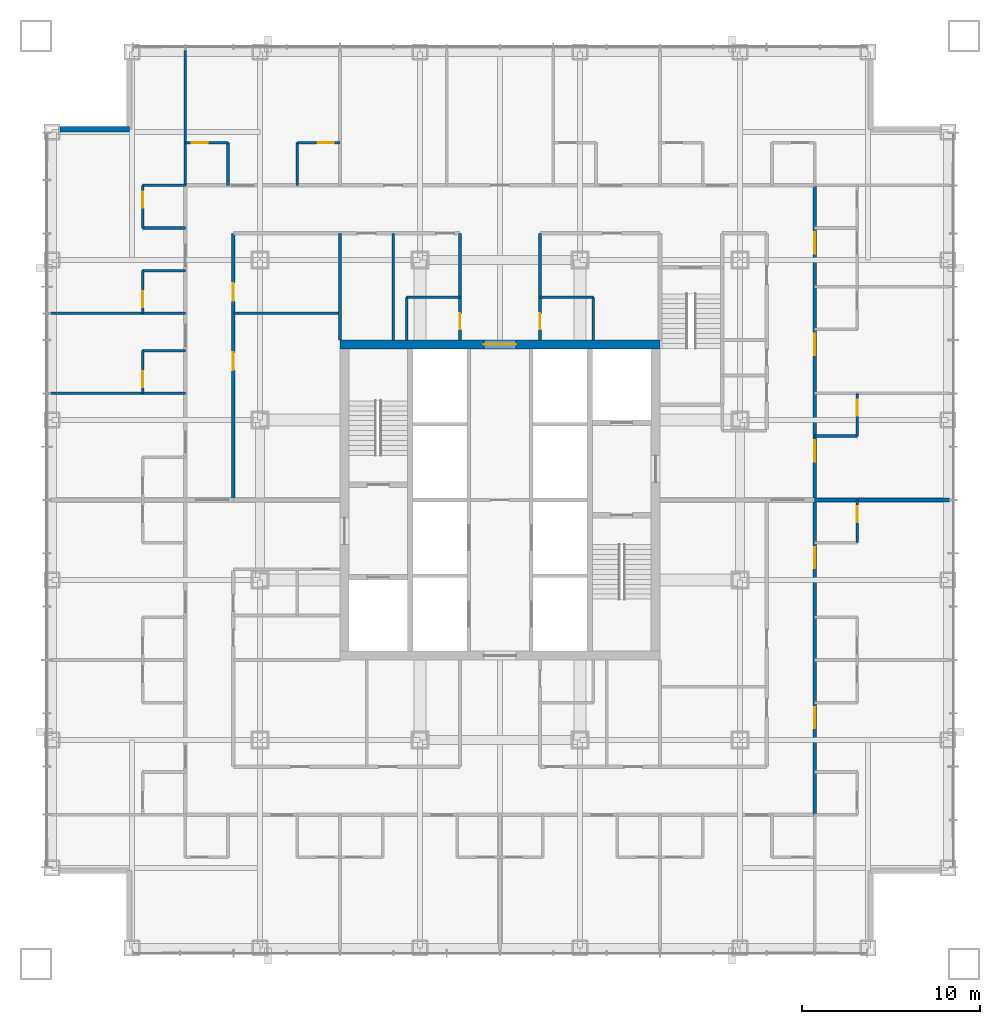
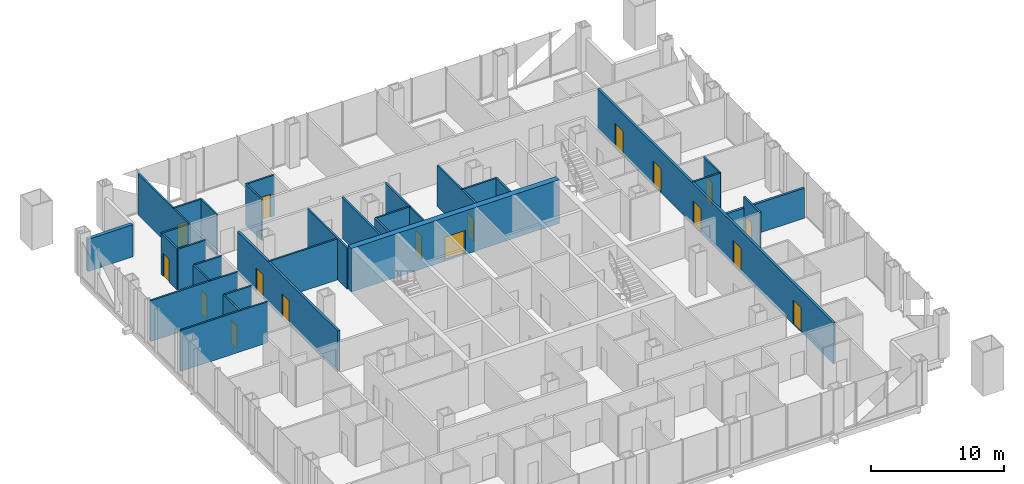
# One storey, part 10 of 13: 31 walls, 17 doors, 17 openings.
"""IFC4 building model written with IfcOpenShell, lengths in metres."""

from ifc_helpers import new_model, si_unit, direction, frame, frame_2d, origin, place, context, subcontext, project, spatial, rectangle, extrude, material, layer, layer_set, type_object, element, fill, save


model = new_model("IFC4")

# Units and contexts
model_context = context("Model", 3, precision=1e-05, world=origin(), true_north=direction((0.0, 1.0)))
body_context = subcontext(model_context, "Body", "Model", "MODEL_VIEW")
ifc_project = project(units=[si_unit("LENGTHUNIT", "METRE"), si_unit("AREAUNIT", "SQUARE_METRE"), si_unit("VOLUMEUNIT", "CUBIC_METRE"), si_unit("PLANEANGLEUNIT", "RADIAN"), si_unit("MASSUNIT", "GRAM", prefix="KILO")], contexts=[model_context])

# Site, building, storey
site_placement = place(None, origin())
site = spatial("IfcSite", under=ifc_project, at=site_placement, CompositionType="ELEMENT")
building_placement = place(site_placement, origin())
building = spatial("IfcBuilding", under=site, at=building_placement, Name="Malebo Sky Hospital", CompositionType="ELEMENT")
storey_placement = place(building_placement, frame((0.0, 0.0, 87.0)))
storey = spatial("IfcBuildingStorey", under=building, at=storey_placement, Name="L20", CompositionType="ELEMENT", Elevation=87.0)

# Wall, opening, door
ifc_material_1 = material(Name="Concrete C80/95", Category="concrete")
ifc_layer_1 = layer(ifc_material_1, 0.5)
ifc_layer_set_1 = layer_set([ifc_layer_1], Name="CORE WALL 500")
wall_type_1 = type_object("IfcWallType", Name="CORE WALL 500", PredefinedType="SHEAR", material=ifc_layer_set_1)
wall_1_placement = place(storey_placement, frame((51.0, 70.75, 0.0), z_axis=(0.0, 0.0, 1.0), x_axis=(1.0, 0.0, 0.0)))
wall_1 = element("IfcWall", 1, at=wall_1_placement, inside=storey, type_object=wall_type_1, Name="Core wall N L20", PredefinedType="SHEAR", context=body_context, shape_type="SweptSolid", body=[
    extrude(rectangle(XDim=18.0, YDim=0.5, at=frame_2d((9.0, 0.0))), origin(), (0.0, 0.0, 1.0), 4.0),
])
opening_1_placement = place(wall_1_placement, frame((8.10009765625, 0.0, 0.0)))
opening_1 = element("IfcOpeningElement", 2, at=opening_1_placement, cuts=wall_1, Name="Opening D06", PredefinedType="OPENING", context=body_context, shape_type="SweptSolid", body=[
    extrude(rectangle(XDim=1.800048828125, YDim=2.199951171875, at=frame_2d((0.89990234375, 1.10009765625))), frame((0.0, 0.260009765625, 0.0), z_axis=(0.0, -1.0, 0.0), x_axis=(1.0, 0.0, 0.0)), (0.0, 0.0, 1.0), 0.52001953125),
])
ifc_material_2 = material(Name="Hardwood-faced door leaf in steel frame", Category="steel")
door_type_1 = type_object("IfcDoorType", Name="LOBBY DOOR PAIR 1800", OperationType="DOUBLE_DOOR_SINGLE_SWING", PredefinedType="DOOR", material=ifc_material_2)
door_1_placement = place(opening_1_placement, origin())
door_1 = element("IfcDoor", 3, at=door_1_placement, inside=storey, type_object=door_type_1, Name="linen store door north", OperationType="DOUBLE_DOOR_SINGLE_SWING", OverallHeight=2.199951171875, OverallWidth=1.800048828125, PredefinedType="DOOR", context=body_context, shape_type="SweptSolid", body=[
    extrude(rectangle(XDim=1.800048828125, YDim=2.199951171875, at=frame_2d((0.89990234375, 1.10009765625))), frame((0.0, 0.02490234375, 0.0), z_axis=(0.0, -1.0, 0.0), x_axis=(1.0, 0.0, 0.0)), (0.0, 0.0, 1.0), 0.050048828125),
])
fill(opening_1, door_1)

# Wall, openings, doors
ifc_material_3 = material(Name="Gypsum board on steel studs", Category="steel")
ifc_layer_2 = layer(ifc_material_3, 0.199951171875)
ifc_layer_set_2 = layer_set([ifc_layer_2], Name="CORRIDOR WALL 200")
wall_type_2 = type_object("IfcWallType", Name="CORRIDOR WALL 200", PredefinedType="PARTITIONING", material=ifc_layer_set_2)
wall_2_placement = place(storey_placement, frame((45.0, 62.0, 0.0), z_axis=(0.0, 0.0, 1.0), x_axis=(0.0, 1.0, 0.0)))
wall_2 = element("IfcWall", 4, at=wall_2_placement, inside=storey, type_object=wall_type_2, Name="Corridor Wall 200 WCI2", PredefinedType="PARTITIONING", context=body_context, shape_type="SweptSolid", body=[
    extrude(rectangle(XDim=15.0, YDim=0.199951171875, at=frame_2d((7.5, 0.0))), origin(), (0.0, 0.0, 1.0), 3.75),
])
opening_2_placement = place(wall_2_placement, frame((7.300048828125, 0.0, 0.0)))
opening_2 = element("IfcOpeningElement", 5, at=opening_2_placement, cuts=wall_2, Name="Opening D03", PredefinedType="OPENING", context=body_context, shape_type="SweptSolid", body=[
    extrude(rectangle(XDim=1.0, YDim=2.10009765625, at=frame_2d((0.5, 1.050048828125))), frame((0.0, 0.10986328125, 0.0), z_axis=(0.0, -1.0, 0.0), x_axis=(1.0, 0.0, 0.0)), (0.0, 0.0, 1.0), 0.219970703125),
])
opening_3_placement = place(wall_2_placement, frame((11.199951171875, 0.0, 0.0)))
opening_3 = element("IfcOpeningElement", 6, at=opening_3_placement, cuts=wall_2, Name="Opening D03", PredefinedType="OPENING", context=body_context, shape_type="SweptSolid", body=[
    extrude(rectangle(XDim=1.0, YDim=2.10009765625, at=frame_2d((0.5, 1.050048828125))), frame((0.0, 0.10986328125, 0.0), z_axis=(0.0, -1.0, 0.0), x_axis=(1.0, 0.0, 0.0)), (0.0, 0.0, 1.0), 0.219970703125),
])
door_type_2 = type_object("IfcDoorType", Name="ROOM DOOR 1000", OperationType="SINGLE_SWING_LEFT", PredefinedType="DOOR", material=ifc_material_2)
door_2_placement = place(opening_2_placement, origin())
door_2 = element("IfcDoor", 7, at=door_2_placement, inside=storey, type_object=door_type_2, Name="Nurse station door", OperationType="SINGLE_SWING_RIGHT", OverallHeight=2.10009765625, OverallWidth=1.0, PredefinedType="DOOR", context=body_context, shape_type="SweptSolid", body=[
    extrude(rectangle(XDim=1.0, YDim=2.10009765625, at=frame_2d((0.5, 1.050048828125))), frame((0.0, 0.02490234375, 0.0), z_axis=(0.0, -1.0, 0.0), x_axis=(1.0, 0.0, 0.0)), (0.0, 0.0, 1.0), 0.050048828125),
])
fill(opening_2, door_2)
door_3_placement = place(opening_3_placement, origin())
door_3 = element("IfcDoor", 8, at=door_3_placement, inside=storey, type_object=door_type_2, Name="Interview room door", OperationType="SINGLE_SWING_LEFT", OverallHeight=2.10009765625, OverallWidth=1.0, PredefinedType="DOOR", context=body_context, shape_type="SweptSolid", body=[
    extrude(rectangle(XDim=1.0, YDim=2.10009765625, at=frame_2d((0.5, 1.050048828125))), frame((0.0, 0.02490234375, 0.0), z_axis=(0.0, -1.0, 0.0), x_axis=(1.0, 0.0, 0.0)), (0.0, 0.0, 1.0), 0.050048828125),
])
fill(opening_3, door_3)

wall_3_placement = place(storey_placement, frame((77.699951171875, 79.699951171875, 0.0), z_axis=(0.0, 0.0, 1.0), x_axis=(0.0, -1.0, 0.0)))
wall_3 = element("IfcWall", 9, at=wall_3_placement, inside=storey, type_object=wall_type_2, Name="Corridor Wall 200 ECO", PredefinedType="PARTITIONING", context=body_context, shape_type="SweptSolid", body=[
    extrude(rectangle(XDim=35.39990234375, YDim=0.199951171875, at=frame_2d((17.699951171875, 0.0))), origin(), (0.0, 0.0, 1.0), 3.75),
])
opening_4_placement = place(wall_3_placement, frame((2.64990234375, 0.0, 0.0)))
opening_4 = element("IfcOpeningElement", 10, at=opening_4_placement, cuts=wall_3, Name="Opening D18", PredefinedType="OPENING", context=body_context, shape_type="SweptSolid", body=[
    extrude(rectangle(XDim=1.199951171875, YDim=2.199951171875, at=frame_2d((0.60009765625, 1.10009765625))), frame((0.0, 0.10986328125, 0.0), z_axis=(0.0, -1.0, 0.0), x_axis=(1.0, 0.0, 0.0)), (0.0, 0.0, 1.0), 0.219970703125),
])
opening_5_placement = place(wall_3_placement, frame((8.35009765625, 0.0, 0.0)))
opening_5 = element("IfcOpeningElement", 11, at=opening_5_placement, cuts=wall_3, Name="Opening D01", PredefinedType="OPENING", context=body_context, shape_type="SweptSolid", body=[
    extrude(rectangle(XDim=1.199951171875, YDim=2.199951171875, at=frame_2d((0.60009765625, 1.10009765625))), frame((0.0, 0.10986328125, 0.0), z_axis=(0.0, -1.0, 0.0), x_axis=(1.0, 0.0, 0.0)), (0.0, 0.0, 1.0), 0.219970703125),
])
opening_6_placement = place(wall_3_placement, frame((14.35009765625, 0.0, 0.0)))
opening_6 = element("IfcOpeningElement", 12, at=opening_6_placement, cuts=wall_3, Name="Opening D01", PredefinedType="OPENING", context=body_context, shape_type="SweptSolid", body=[
    extrude(rectangle(XDim=1.199951171875, YDim=2.199951171875, at=frame_2d((0.60009765625, 1.10009765625))), frame((0.0, 0.10986328125, 0.0), z_axis=(0.0, -1.0, 0.0), x_axis=(1.0, 0.0, 0.0)), (0.0, 0.0, 1.0), 0.219970703125),
])
opening_7_placement = place(wall_3_placement, frame((20.35009765625, 0.0, 0.0)))
opening_7 = element("IfcOpeningElement", 13, at=opening_7_placement, cuts=wall_3, Name="Opening D01", PredefinedType="OPENING", context=body_context, shape_type="SweptSolid", body=[
    extrude(rectangle(XDim=1.199951171875, YDim=2.199951171875, at=frame_2d((0.60009765625, 1.10009765625))), frame((0.0, 0.10986328125, 0.0), z_axis=(0.0, -1.0, 0.0), x_axis=(1.0, 0.0, 0.0)), (0.0, 0.0, 1.0), 0.219970703125),
])
opening_8_placement = place(wall_3_placement, frame((29.35009765625, 0.0, 0.0)))
opening_8 = element("IfcOpeningElement", 14, at=opening_8_placement, cuts=wall_3, Name="Opening D01", PredefinedType="OPENING", context=body_context, shape_type="SweptSolid", body=[
    extrude(rectangle(XDim=1.199951171875, YDim=2.199951171875, at=frame_2d((0.60009765625, 1.10009765625))), frame((0.0, 0.10986328125, 0.0), z_axis=(0.0, -1.0, 0.0), x_axis=(1.0, 0.0, 0.0)), (0.0, 0.0, 1.0), 0.219970703125),
])
door_type_3 = type_object("IfcDoorType", Name="ANTEROOM DOOR 1200", OperationType="SINGLE_SWING_LEFT", PredefinedType="DOOR", material=ifc_material_2)
door_4_placement = place(opening_4_placement, origin())
door_4 = element("IfcDoor", 15, at=door_4_placement, inside=storey, type_object=door_type_3, Name="Anteroom door", OperationType="SINGLE_SWING_LEFT", OverallHeight=2.199951171875, OverallWidth=1.199951171875, PredefinedType="DOOR", context=body_context, shape_type="SweptSolid", body=[
    extrude(rectangle(XDim=1.199951171875, YDim=2.199951171875, at=frame_2d((0.60009765625, 1.10009765625))), frame((0.0, 0.02490234375, 0.0), z_axis=(0.0, -1.0, 0.0), x_axis=(1.0, 0.0, 0.0)), (0.0, 0.0, 1.0), 0.050048828125),
])
fill(opening_4, door_4)
door_type_4 = type_object("IfcDoorType", Name="BED DOOR 1200", OperationType="SINGLE_SWING_LEFT", PredefinedType="DOOR", material=ifc_material_2)
door_5_placement = place(opening_5_placement, origin())
door_5 = element("IfcDoor", 16, at=door_5_placement, inside=storey, type_object=door_type_4, Name="Single bed room door", OperationType="SINGLE_SWING_LEFT", OverallHeight=2.199951171875, OverallWidth=1.199951171875, PredefinedType="DOOR", context=body_context, shape_type="SweptSolid", body=[
    extrude(rectangle(XDim=1.199951171875, YDim=2.199951171875, at=frame_2d((0.60009765625, 1.10009765625))), frame((0.0, 0.02490234375, 0.0), z_axis=(0.0, -1.0, 0.0), x_axis=(1.0, 0.0, 0.0)), (0.0, 0.0, 1.0), 0.050048828125),
])
fill(opening_5, door_5)
door_6_placement = place(opening_6_placement, origin())
door_6 = element("IfcDoor", 17, at=door_6_placement, inside=storey, type_object=door_type_4, Name="Single bed room door", OperationType="SINGLE_SWING_LEFT", OverallHeight=2.199951171875, OverallWidth=1.199951171875, PredefinedType="DOOR", context=body_context, shape_type="SweptSolid", body=[
    extrude(rectangle(XDim=1.199951171875, YDim=2.199951171875, at=frame_2d((0.60009765625, 1.10009765625))), frame((0.0, 0.02490234375, 0.0), z_axis=(0.0, -1.0, 0.0), x_axis=(1.0, 0.0, 0.0)), (0.0, 0.0, 1.0), 0.050048828125),
])
fill(opening_6, door_6)
door_7_placement = place(opening_7_placement, origin())
door_7 = element("IfcDoor", 18, at=door_7_placement, inside=storey, type_object=door_type_4, Name="Four-bed bay door", OperationType="SINGLE_SWING_LEFT", OverallHeight=2.199951171875, OverallWidth=1.199951171875, PredefinedType="DOOR", context=body_context, shape_type="SweptSolid", body=[
    extrude(rectangle(XDim=1.199951171875, YDim=2.199951171875, at=frame_2d((0.60009765625, 1.10009765625))), frame((0.0, 0.02490234375, 0.0), z_axis=(0.0, -1.0, 0.0), x_axis=(1.0, 0.0, 0.0)), (0.0, 0.0, 1.0), 0.050048828125),
])
fill(opening_7, door_7)
door_8_placement = place(opening_8_placement, origin())
door_8 = element("IfcDoor", 19, at=door_8_placement, inside=storey, type_object=door_type_4, Name="Four-bed bay door", OperationType="SINGLE_SWING_LEFT", OverallHeight=2.199951171875, OverallWidth=1.199951171875, PredefinedType="DOOR", context=body_context, shape_type="SweptSolid", body=[
    extrude(rectangle(XDim=1.199951171875, YDim=2.199951171875, at=frame_2d((0.60009765625, 1.10009765625))), frame((0.0, 0.02490234375, 0.0), z_axis=(0.0, -1.0, 0.0), x_axis=(1.0, 0.0, 0.0)), (0.0, 0.0, 1.0), 0.050048828125),
])
fill(opening_8, door_8)

# Walls
ifc_material_4 = material(Name="Anodised aluminium rainscreen on steel framing", Category="steel")
ifc_layer_3 = layer(ifc_material_4, 0.300048828125)
ifc_layer_set_3 = layer_set([ifc_layer_3], Name="NOTCH RAINSCREEN WALL 300")
wall_type_3 = type_object("IfcWallType", Name="NOTCH RAINSCREEN WALL 300", PredefinedType="ELEMENTEDWALL", material=ifc_layer_set_3)
wall_4_placement = place(storey_placement, frame((35.25, 82.85009765625, 0.0), z_axis=(0.0, 0.0, 1.0), x_axis=(1.0, 0.0, 0.0)))
element("IfcWall", 20, at=wall_4_placement, inside=storey, type_object=wall_type_3, Name="Notch rainscreen wall W1 L20", PredefinedType="ELEMENTEDWALL", context=body_context, shape_type="SweptSolid", body=[
    extrude(rectangle(XDim=3.89990234375, YDim=0.300048828125, at=frame_2d((1.949951171875, 0.0))), origin(), (0.0, 0.0, 1.0), 2.949951171875),
])
ifc_layer_4 = layer(ifc_material_3, 0.14990234375)
ifc_layer_set_4 = layer_set([ifc_layer_4], Name="PARTITION 150")
wall_type_4 = type_object("IfcWallType", Name="PARTITION 150", PredefinedType="PARTITIONING", material=ifc_layer_set_4)
wall_5_placement = place(storey_placement, frame((42.300048828125, 79.699951171875, 0.0), z_axis=(0.0, 0.0, 1.0), x_axis=(0.0, 1.0, 0.0)))
element("IfcWall", 21, at=wall_5_placement, inside=storey, type_object=wall_type_4, Name="Partition 150 NP0", PredefinedType="PARTITIONING", context=body_context, shape_type="SweptSolid", body=[
    extrude(rectangle(XDim=7.574951171875, YDim=0.14990234375, at=frame_2d((3.78759765625, 0.0))), origin(), (0.0, 0.0, 1.0), 3.75),
])

# Wall, opening, door
wall_6_placement = place(storey_placement, frame((42.300048828125, 82.10009765625, 0.0), z_axis=(0.0, 0.0, 1.0), x_axis=(1.0, 0.0, 0.0)))
wall_6 = element("IfcWall", 22, at=wall_6_placement, inside=storey, type_object=wall_type_4, Name="Partition 150 NE0F", PredefinedType="PARTITIONING", context=body_context, shape_type="SweptSolid", body=[
    extrude(rectangle(XDim=2.39990234375, YDim=0.14990234375, at=frame_2d((1.199951171875, 0.0))), origin(), (0.0, 0.0, 1.0), 3.75),
])
opening_9_placement = place(wall_6_placement, frame((0.35009765625, 0.0, 0.0)))
opening_9 = element("IfcOpeningElement", 23, at=opening_9_placement, cuts=wall_6, Name="Opening D02", PredefinedType="OPENING", context=body_context, shape_type="SweptSolid", body=[
    extrude(rectangle(XDim=0.89990234375, YDim=2.10009765625, at=frame_2d((0.449951171875, 1.050048828125))), frame((0.0, 0.0849609375, 0.0), z_axis=(0.0, -1.0, 0.0), x_axis=(1.0, 0.0, 0.0)), (0.0, 0.0, 1.0), 0.169921875),
])
door_type_5 = type_object("IfcDoorType", Name="EN-SUITE DOOR 900", OperationType="SINGLE_SWING_LEFT", PredefinedType="DOOR", material=ifc_material_2)
door_9_placement = place(opening_9_placement, origin())
door_9 = element("IfcDoor", 24, at=door_9_placement, inside=storey, type_object=door_type_5, Name="En-suite door", OperationType="SINGLE_SWING_LEFT", OverallHeight=2.10009765625, OverallWidth=0.89990234375, PredefinedType="DOOR", context=body_context, shape_type="SweptSolid", body=[
    extrude(rectangle(XDim=0.89990234375, YDim=2.10009765625, at=frame_2d((0.449951171875, 1.050048828125))), frame((0.0, 0.02490234375, 0.0), z_axis=(0.0, -1.0, 0.0), x_axis=(1.0, 0.0, 0.0)), (0.0, 0.0, 1.0), 0.050048828125),
])
fill(opening_9, door_9)

# Wall
wall_7_placement = place(storey_placement, frame((44.699951171875, 79.699951171875, 0.0), z_axis=(0.0, 0.0, 1.0), x_axis=(0.0, 1.0, 0.0)))
element("IfcWall", 25, at=wall_7_placement, inside=storey, type_object=wall_type_4, Name="Partition 150 NE0S", PredefinedType="PARTITIONING", context=body_context, shape_type="SweptSolid", body=[
    extrude(rectangle(XDim=2.400146484375, YDim=0.14990234375, at=frame_2d((1.2001953125, 0.0))), origin(), (0.0, 0.0, 1.0), 3.75),
])

# Wall, opening, door
wall_8_placement = place(storey_placement, frame((48.60009765625, 82.10009765625, 0.0), z_axis=(0.0, 0.0, 1.0), x_axis=(1.0, 0.0, 0.0)))
wall_8 = element("IfcWall", 26, at=wall_8_placement, inside=storey, type_object=wall_type_4, Name="Partition 150 NG0F", PredefinedType="PARTITIONING", context=body_context, shape_type="SweptSolid", body=[
    extrude(rectangle(XDim=2.39990234375, YDim=0.14990234375, at=frame_2d((1.199951171875, 0.0))), origin(), (0.0, 0.0, 1.0), 3.75),
])
opening_10_placement = place(wall_8_placement, frame((1.14990234375, 0.0, 0.0)))
opening_10 = element("IfcOpeningElement", 27, at=opening_10_placement, cuts=wall_8, Name="Opening D02", PredefinedType="OPENING", context=body_context, shape_type="SweptSolid", body=[
    extrude(rectangle(XDim=0.89990234375, YDim=2.10009765625, at=frame_2d((0.449951171875, 1.050048828125))), frame((0.0, 0.0849609375, 0.0), z_axis=(0.0, -1.0, 0.0), x_axis=(1.0, 0.0, 0.0)), (0.0, 0.0, 1.0), 0.169921875),
])
door_10_placement = place(opening_10_placement, origin())
door_10 = element("IfcDoor", 28, at=door_10_placement, inside=storey, type_object=door_type_5, Name="En-suite door", OperationType="SINGLE_SWING_RIGHT", OverallHeight=2.10009765625, OverallWidth=0.89990234375, PredefinedType="DOOR", context=body_context, shape_type="SweptSolid", body=[
    extrude(rectangle(XDim=0.89990234375, YDim=2.10009765625, at=frame_2d((0.449951171875, 1.050048828125))), frame((0.0, 0.02490234375, 0.0), z_axis=(0.0, -1.0, 0.0), x_axis=(1.0, 0.0, 0.0)), (0.0, 0.0, 1.0), 0.050048828125),
])
fill(opening_10, door_10)

# Walls
wall_9_placement = place(storey_placement, frame((48.60009765625, 79.699951171875, 0.0), z_axis=(0.0, 0.0, 1.0), x_axis=(0.0, 1.0, 0.0)))
element("IfcWall", 29, at=wall_9_placement, inside=storey, type_object=wall_type_4, Name="Partition 150 NG0S", PredefinedType="PARTITIONING", context=body_context, shape_type="SweptSolid", body=[
    extrude(rectangle(XDim=2.400146484375, YDim=0.14990234375, at=frame_2d((1.2001953125, 0.0))), origin(), (0.0, 0.0, 1.0), 3.75),
])
wall_10_placement = place(storey_placement, frame((51.0, 71.0, 0.0), z_axis=(0.0, 0.0, 1.0), x_axis=(0.0, 1.0, 0.0)))
element("IfcWall", 30, at=wall_10_placement, inside=storey, type_object=wall_type_4, Name="Partition 150 NSP0", PredefinedType="PARTITIONING", context=body_context, shape_type="SweptSolid", body=[
    extrude(rectangle(XDim=6.0, YDim=0.14990234375, at=frame_2d((3.0, 0.0))), origin(), (0.0, 0.0, 1.0), 3.75),
])

# Wall, opening, door
wall_11_placement = place(storey_placement, frame((57.75, 71.0, 0.0), z_axis=(0.0, 0.0, 1.0), x_axis=(0.0, 1.0, 0.0)))
wall_11 = element("IfcWall", 31, at=wall_11_placement, inside=storey, type_object=wall_type_4, Name="Partition 150 NSPA", PredefinedType="PARTITIONING", context=body_context, shape_type="SweptSolid", body=[
    extrude(rectangle(XDim=6.0, YDim=0.14990234375, at=frame_2d((3.0, 0.0))), origin(), (0.0, 0.0, 1.0), 3.75),
])
opening_11_placement = place(wall_11_placement, frame((0.60009765625, 0.0, 0.0)))
opening_11 = element("IfcOpeningElement", 32, at=opening_11_placement, cuts=wall_11, Name="Opening D04", PredefinedType="OPENING", context=body_context, shape_type="SweptSolid", body=[
    extrude(rectangle(XDim=0.89990234375, YDim=2.10009765625, at=frame_2d((0.449951171875, 1.050048828125))), frame((0.0, 0.0849609375, 0.0), z_axis=(0.0, -1.0, 0.0), x_axis=(1.0, 0.0, 0.0)), (0.0, 0.0, 1.0), 0.169921875),
])
door_type_6 = type_object("IfcDoorType", Name="ROOM DOOR 900", OperationType="SINGLE_SWING_LEFT", PredefinedType="DOOR", material=ifc_material_2)
door_11_placement = place(opening_11_placement, origin())
door_11 = element("IfcDoor", 33, at=door_11_placement, inside=storey, type_object=door_type_6, Name="Staff WC door", OperationType="SINGLE_SWING_LEFT", OverallHeight=2.10009765625, OverallWidth=0.89990234375, PredefinedType="DOOR", context=body_context, shape_type="SweptSolid", body=[
    extrude(rectangle(XDim=0.89990234375, YDim=2.10009765625, at=frame_2d((0.449951171875, 1.050048828125))), frame((0.0, 0.02490234375, 0.0), z_axis=(0.0, -1.0, 0.0), x_axis=(1.0, 0.0, 0.0)), (0.0, 0.0, 1.0), 0.050048828125),
])
fill(opening_11, door_11)

wall_12_placement = place(storey_placement, frame((62.25, 71.0, 0.0), z_axis=(0.0, 0.0, 1.0), x_axis=(0.0, 1.0, 0.0)))
wall_12 = element("IfcWall", 34, at=wall_12_placement, inside=storey, type_object=wall_type_4, Name="Partition 150 NSPB", PredefinedType="PARTITIONING", context=body_context, shape_type="SweptSolid", body=[
    extrude(rectangle(XDim=6.0, YDim=0.14990234375, at=frame_2d((3.0, 0.0))), origin(), (0.0, 0.0, 1.0), 3.75),
])
opening_12_placement = place(wall_12_placement, frame((0.60009765625, 0.0, 0.0)))
opening_12 = element("IfcOpeningElement", 35, at=opening_12_placement, cuts=wall_12, Name="Opening D04", PredefinedType="OPENING", context=body_context, shape_type="SweptSolid", body=[
    extrude(rectangle(XDim=0.89990234375, YDim=2.10009765625, at=frame_2d((0.449951171875, 1.050048828125))), frame((0.0, 0.0849609375, 0.0), z_axis=(0.0, -1.0, 0.0), x_axis=(1.0, 0.0, 0.0)), (0.0, 0.0, 1.0), 0.169921875),
])
door_12_placement = place(opening_12_placement, origin())
door_12 = element("IfcDoor", 36, at=door_12_placement, inside=storey, type_object=door_type_6, Name="Accessible WC door", OperationType="SINGLE_SWING_LEFT", OverallHeight=2.10009765625, OverallWidth=0.89990234375, PredefinedType="DOOR", context=body_context, shape_type="SweptSolid", body=[
    extrude(rectangle(XDim=0.89990234375, YDim=2.10009765625, at=frame_2d((0.449951171875, 1.050048828125))), frame((0.0, 0.02490234375, 0.0), z_axis=(0.0, -1.0, 0.0), x_axis=(1.0, 0.0, 0.0)), (0.0, 0.0, 1.0), 0.050048828125),
])
fill(opening_12, door_12)

# Walls
wall_13_placement = place(storey_placement, frame((54.0, 71.0, 0.0), z_axis=(0.0, 0.0, 1.0), x_axis=(0.0, 1.0, 0.0)))
element("IfcWall", 37, at=wall_13_placement, inside=storey, type_object=wall_type_4, Name="Partition 150 NSP-6.0", PredefinedType="PARTITIONING", context=body_context, shape_type="SweptSolid", body=[
    extrude(rectangle(XDim=6.0, YDim=0.14990234375, at=frame_2d((3.0, 0.0))), origin(), (0.0, 0.0, 1.0), 3.75),
])
wall_14_placement = place(storey_placement, frame((54.75, 73.39990234375, 0.0), z_axis=(0.0, 0.0, 1.0), x_axis=(1.0, 0.0, 0.0)))
element("IfcWall", 38, at=wall_14_placement, inside=storey, type_object=wall_type_4, Name="Partition 150 NSX1", PredefinedType="PARTITIONING", context=body_context, shape_type="SweptSolid", body=[
    extrude(rectangle(XDim=3.0, YDim=0.14990234375, at=frame_2d((1.5, 0.0))), origin(), (0.0, 0.0, 1.0), 3.75),
])
wall_15_placement = place(storey_placement, frame((54.75, 71.0, 0.0), z_axis=(0.0, 0.0, 1.0), x_axis=(0.0, 1.0, 0.0)))
element("IfcWall", 39, at=wall_15_placement, inside=storey, type_object=wall_type_4, Name="Partition 150 NSY1", PredefinedType="PARTITIONING", context=body_context, shape_type="SweptSolid", body=[
    extrude(rectangle(XDim=2.39990234375, YDim=0.14990234375, at=frame_2d((1.199951171875, 0.0))), origin(), (0.0, 0.0, 1.0), 3.75),
])
wall_16_placement = place(storey_placement, frame((62.25, 73.39990234375, 0.0), z_axis=(0.0, 0.0, 1.0), x_axis=(1.0, 0.0, 0.0)))
element("IfcWall", 40, at=wall_16_placement, inside=storey, type_object=wall_type_4, Name="Partition 150 NSX2", PredefinedType="PARTITIONING", context=body_context, shape_type="SweptSolid", body=[
    extrude(rectangle(XDim=3.0, YDim=0.14990234375, at=frame_2d((1.5, 0.0))), origin(), (0.0, 0.0, 1.0), 3.75),
])
wall_17_placement = place(storey_placement, frame((65.25, 71.0, 0.0), z_axis=(0.0, 0.0, 1.0), x_axis=(0.0, 1.0, 0.0)))
element("IfcWall", 41, at=wall_17_placement, inside=storey, type_object=wall_type_4, Name="Partition 150 NSY2", PredefinedType="PARTITIONING", context=body_context, shape_type="SweptSolid", body=[
    extrude(rectangle(XDim=2.39990234375, YDim=0.14990234375, at=frame_2d((1.199951171875, 0.0))), origin(), (0.0, 0.0, 1.0), 3.75),
])
for number, where, z_axis, x_axis, name in (
    (42, (42.300048828125, 68.0, 0.0), (0.0, 0.0, 1.0), (-1.0, 0.0, 0.0), "Partition 150 WP+6.0"),
    (43, (42.300048828125, 72.5, 0.0), (0.0, 0.0, 1.0), (-1.0, 0.0, 0.0), "Partition 150 WP+10.5"),
):
    element("IfcWall", number, at=place(storey_placement, frame(where, z_axis=z_axis, x_axis=x_axis)), inside=storey, type_object=wall_type_4, Name=name, PredefinedType="PARTITIONING", context=body_context, shape_type="SweptSolid", body=[
        extrude(rectangle(XDim=7.574951171875, YDim=0.14990234375, at=frame_2d((3.78759765625, 0.0))), origin(), (0.0, 0.0, 1.0), 3.75),
    ])

# Wall, opening, door
wall_18_placement = place(storey_placement, frame((39.89990234375, 68.0, 0.0), z_axis=(0.0, 0.0, 1.0), x_axis=(0.0, 1.0, 0.0)))
wall_18 = element("IfcWall", 44, at=wall_18_placement, inside=storey, type_object=wall_type_4, Name="Partition 150 WE3F", PredefinedType="PARTITIONING", context=body_context, shape_type="SweptSolid", body=[
    extrude(rectangle(XDim=2.39990234375, YDim=0.14990234375, at=frame_2d((1.199951171875, 0.0))), origin(), (0.0, 0.0, 1.0), 3.75),
])
opening_13_placement = place(wall_18_placement, frame((0.35009765625, 0.0, 0.0)))
opening_13 = element("IfcOpeningElement", 45, at=opening_13_placement, cuts=wall_18, Name="Opening D02", PredefinedType="OPENING", context=body_context, shape_type="SweptSolid", body=[
    extrude(rectangle(XDim=0.89990234375, YDim=2.10009765625, at=frame_2d((0.449951171875, 1.050048828125))), frame((0.0, 0.0849609375, 0.0), z_axis=(0.0, -1.0, 0.0), x_axis=(1.0, 0.0, 0.0)), (0.0, 0.0, 1.0), 0.169921875),
])
door_13_placement = place(opening_13_placement, origin())
door_13 = element("IfcDoor", 46, at=door_13_placement, inside=storey, type_object=door_type_5, Name="En-suite door", OperationType="SINGLE_SWING_LEFT", OverallHeight=2.10009765625, OverallWidth=0.89990234375, PredefinedType="DOOR", context=body_context, shape_type="SweptSolid", body=[
    extrude(rectangle(XDim=0.89990234375, YDim=2.10009765625, at=frame_2d((0.449951171875, 1.050048828125))), frame((0.0, 0.02490234375, 0.0), z_axis=(0.0, -1.0, 0.0), x_axis=(1.0, 0.0, 0.0)), (0.0, 0.0, 1.0), 0.050048828125),
])
fill(opening_13, door_13)

# Wall
wall_19_placement = place(storey_placement, frame((42.300048828125, 70.39990234375, 0.0), z_axis=(0.0, 0.0, 1.0), x_axis=(-1.0, 0.0, 0.0)))
element("IfcWall", 47, at=wall_19_placement, inside=storey, type_object=wall_type_4, Name="Partition 150 WE3S", PredefinedType="PARTITIONING", context=body_context, shape_type="SweptSolid", body=[
    extrude(rectangle(XDim=2.400146484375, YDim=0.14990234375, at=frame_2d((1.2001953125, 0.0))), origin(), (0.0, 0.0, 1.0), 3.75),
])

# Wall, opening, door
wall_20_placement = place(storey_placement, frame((39.89990234375, 72.5, 0.0), z_axis=(0.0, 0.0, 1.0), x_axis=(0.0, 1.0, 0.0)))
wall_20 = element("IfcWall", 48, at=wall_20_placement, inside=storey, type_object=wall_type_4, Name="Partition 150 WE4F", PredefinedType="PARTITIONING", context=body_context, shape_type="SweptSolid", body=[
    extrude(rectangle(XDim=2.39990234375, YDim=0.14990234375, at=frame_2d((1.199951171875, 0.0))), origin(), (0.0, 0.0, 1.0), 3.75),
])
opening_14_placement = place(wall_20_placement, frame((0.35009765625, 0.0, 0.0)))
opening_14 = element("IfcOpeningElement", 49, at=opening_14_placement, cuts=wall_20, Name="Opening D02", PredefinedType="OPENING", context=body_context, shape_type="SweptSolid", body=[
    extrude(rectangle(XDim=0.89990234375, YDim=2.10009765625, at=frame_2d((0.449951171875, 1.050048828125))), frame((0.0, 0.0849609375, 0.0), z_axis=(0.0, -1.0, 0.0), x_axis=(1.0, 0.0, 0.0)), (0.0, 0.0, 1.0), 0.169921875),
])
door_14_placement = place(opening_14_placement, origin())
door_14 = element("IfcDoor", 50, at=door_14_placement, inside=storey, type_object=door_type_5, Name="En-suite door", OperationType="SINGLE_SWING_LEFT", OverallHeight=2.10009765625, OverallWidth=0.89990234375, PredefinedType="DOOR", context=body_context, shape_type="SweptSolid", body=[
    extrude(rectangle(XDim=0.89990234375, YDim=2.10009765625, at=frame_2d((0.449951171875, 1.050048828125))), frame((0.0, 0.02490234375, 0.0), z_axis=(0.0, -1.0, 0.0), x_axis=(1.0, 0.0, 0.0)), (0.0, 0.0, 1.0), 0.050048828125),
])
fill(opening_14, door_14)

# Wall
wall_21_placement = place(storey_placement, frame((42.300048828125, 74.89990234375, 0.0), z_axis=(0.0, 0.0, 1.0), x_axis=(-1.0, 0.0, 0.0)))
element("IfcWall", 51, at=wall_21_placement, inside=storey, type_object=wall_type_4, Name="Partition 150 WE4S", PredefinedType="PARTITIONING", context=body_context, shape_type="SweptSolid", body=[
    extrude(rectangle(XDim=2.400146484375, YDim=0.14990234375, at=frame_2d((1.2001953125, 0.0))), origin(), (0.0, 0.0, 1.0), 3.75),
])

# Wall, opening, door
wall_22_placement = place(storey_placement, frame((39.89990234375, 77.300048828125, 0.0), z_axis=(0.0, 0.0, 1.0), x_axis=(0.0, 1.0, 0.0)))
wall_22 = element("IfcWall", 52, at=wall_22_placement, inside=storey, type_object=wall_type_4, Name="Partition 150 WG4F", PredefinedType="PARTITIONING", context=body_context, shape_type="SweptSolid", body=[
    extrude(rectangle(XDim=2.39990234375, YDim=0.14990234375, at=frame_2d((1.199951171875, 0.0))), origin(), (0.0, 0.0, 1.0), 3.75),
])
opening_15_placement = place(wall_22_placement, frame((1.14990234375, 0.0, 0.0)))
opening_15 = element("IfcOpeningElement", 53, at=opening_15_placement, cuts=wall_22, Name="Opening D02", PredefinedType="OPENING", context=body_context, shape_type="SweptSolid", body=[
    extrude(rectangle(XDim=0.89990234375, YDim=2.10009765625, at=frame_2d((0.449951171875, 1.050048828125))), frame((0.0, 0.0849609375, 0.0), z_axis=(0.0, -1.0, 0.0), x_axis=(1.0, 0.0, 0.0)), (0.0, 0.0, 1.0), 0.169921875),
])
door_15_placement = place(opening_15_placement, origin())
door_15 = element("IfcDoor", 54, at=door_15_placement, inside=storey, type_object=door_type_5, Name="En-suite door", OperationType="SINGLE_SWING_RIGHT", OverallHeight=2.10009765625, OverallWidth=0.89990234375, PredefinedType="DOOR", context=body_context, shape_type="SweptSolid", body=[
    extrude(rectangle(XDim=0.89990234375, YDim=2.10009765625, at=frame_2d((0.449951171875, 1.050048828125))), frame((0.0, 0.02490234375, 0.0), z_axis=(0.0, -1.0, 0.0), x_axis=(1.0, 0.0, 0.0)), (0.0, 0.0, 1.0), 0.050048828125),
])
fill(opening_15, door_15)

# Walls
for number, where, z_axis, x_axis, name in (
    (55, (42.300048828125, 77.300048828125, 0.0), (0.0, 0.0, 1.0), (-1.0, 0.0, 0.0), "Partition 150 WG4S"),
    (56, (42.300048828125, 79.699951171875, 0.0), (0.0, 0.0, 1.0), (-1.0, 0.0, 0.0), "Partition 150 WEZ"),
):
    element("IfcWall", number, at=place(storey_placement, frame(where, z_axis=z_axis, x_axis=x_axis)), inside=storey, type_object=wall_type_4, Name=name, PredefinedType="PARTITIONING", context=body_context, shape_type="SweptSolid", body=[
        extrude(rectangle(XDim=2.400146484375, YDim=0.14990234375, at=frame_2d((1.2001953125, 0.0))), origin(), (0.0, 0.0, 1.0), 3.75),
    ])
wall_23_placement = place(storey_placement, frame((51.0, 72.5, 0.0), z_axis=(0.0, 0.0, 1.0), x_axis=(-1.0, 0.0, 0.0)))
element("IfcWall", 57, at=wall_23_placement, inside=storey, type_object=wall_type_4, Name="Partition 150 WSP+10.5", PredefinedType="PARTITIONING", context=body_context, shape_type="SweptSolid", body=[
    extrude(rectangle(XDim=6.0, YDim=0.14990234375, at=frame_2d((3.0, 0.0))), origin(), (0.0, 0.0, 1.0), 3.75),
])

# Wall, opening, door
wall_24_placement = place(storey_placement, frame((80.10009765625, 68.0, 0.0), z_axis=(0.0, 0.0, 1.0), x_axis=(0.0, -1.0, 0.0)))
wall_24 = element("IfcWall", 58, at=wall_24_placement, inside=storey, type_object=wall_type_4, Name="Partition 150 EE2F", PredefinedType="PARTITIONING", context=body_context, shape_type="SweptSolid", body=[
    extrude(rectangle(XDim=2.39990234375, YDim=0.14990234375, at=frame_2d((1.199951171875, 0.0))), origin(), (0.0, 0.0, 1.0), 3.75),
])
opening_16_placement = place(wall_24_placement, frame((0.35009765625, 0.0, 0.0)))
opening_16 = element("IfcOpeningElement", 59, at=opening_16_placement, cuts=wall_24, Name="Opening D02", PredefinedType="OPENING", context=body_context, shape_type="SweptSolid", body=[
    extrude(rectangle(XDim=0.89990234375, YDim=2.10009765625, at=frame_2d((0.449951171875, 1.050048828125))), frame((0.0, 0.0849609375, 0.0), z_axis=(0.0, -1.0, 0.0), x_axis=(1.0, 0.0, 0.0)), (0.0, 0.0, 1.0), 0.169921875),
])
door_16_placement = place(opening_16_placement, origin())
door_16 = element("IfcDoor", 60, at=door_16_placement, inside=storey, type_object=door_type_5, Name="En-suite door", OperationType="SINGLE_SWING_LEFT", OverallHeight=2.10009765625, OverallWidth=0.89990234375, PredefinedType="DOOR", context=body_context, shape_type="SweptSolid", body=[
    extrude(rectangle(XDim=0.89990234375, YDim=2.10009765625, at=frame_2d((0.449951171875, 1.050048828125))), frame((0.0, 0.02490234375, 0.0), z_axis=(0.0, -1.0, 0.0), x_axis=(1.0, 0.0, 0.0)), (0.0, 0.0, 1.0), 0.050048828125),
])
fill(opening_16, door_16)

# Wall
wall_25_placement = place(storey_placement, frame((77.699951171875, 65.60009765625, 0.0), z_axis=(0.0, 0.0, 1.0), x_axis=(1.0, 0.0, 0.0)))
element("IfcWall", 61, at=wall_25_placement, inside=storey, type_object=wall_type_4, Name="Partition 150 EE2S", PredefinedType="PARTITIONING", context=body_context, shape_type="SweptSolid", body=[
    extrude(rectangle(XDim=2.400146484375, YDim=0.14990234375, at=frame_2d((1.2001953125, 0.0))), origin(), (0.0, 0.0, 1.0), 3.75),
])

# Wall, opening, door
wall_26_placement = place(storey_placement, frame((80.10009765625, 62.0, 0.0), z_axis=(0.0, 0.0, 1.0), x_axis=(0.0, -1.0, 0.0)))
wall_26 = element("IfcWall", 62, at=wall_26_placement, inside=storey, type_object=wall_type_4, Name="Partition 150 EE3F", PredefinedType="PARTITIONING", context=body_context, shape_type="SweptSolid", body=[
    extrude(rectangle(XDim=2.39990234375, YDim=0.14990234375, at=frame_2d((1.199951171875, 0.0))), origin(), (0.0, 0.0, 1.0), 3.75),
])
opening_17_placement = place(wall_26_placement, frame((0.35009765625, 0.0, 0.0)))
opening_17 = element("IfcOpeningElement", 63, at=opening_17_placement, cuts=wall_26, Name="Opening D02", PredefinedType="OPENING", context=body_context, shape_type="SweptSolid", body=[
    extrude(rectangle(XDim=0.89990234375, YDim=2.10009765625, at=frame_2d((0.449951171875, 1.050048828125))), frame((0.0, 0.0849609375, 0.0), z_axis=(0.0, -1.0, 0.0), x_axis=(1.0, 0.0, 0.0)), (0.0, 0.0, 1.0), 0.169921875),
])
door_17_placement = place(opening_17_placement, origin())
door_17 = element("IfcDoor", 64, at=door_17_placement, inside=storey, type_object=door_type_5, Name="En-suite door", OperationType="SINGLE_SWING_LEFT", OverallHeight=2.10009765625, OverallWidth=0.89990234375, PredefinedType="DOOR", context=body_context, shape_type="SweptSolid", body=[
    extrude(rectangle(XDim=0.89990234375, YDim=2.10009765625, at=frame_2d((0.449951171875, 1.050048828125))), frame((0.0, 0.02490234375, 0.0), z_axis=(0.0, -1.0, 0.0), x_axis=(1.0, 0.0, 0.0)), (0.0, 0.0, 1.0), 0.050048828125),
])
fill(opening_17, door_17)

# Wall
ifc_material_5 = material(Name="Concrete blockwork", Category="masonry")
ifc_layer_5 = layer(ifc_material_5, 0.199951171875)
ifc_layer_set_5 = layer_set([ifc_layer_5], Name="SMOKE BARRIER WALL 200")
wall_type_5 = type_object("IfcWallType", Name="SMOKE BARRIER WALL 200", PredefinedType="SOLIDWALL", material=ifc_layer_set_5)
wall_27_placement = place(storey_placement, frame((77.699951171875, 62.0, 0.0), z_axis=(0.0, 0.0, 1.0), x_axis=(1.0, 0.0, 0.0)))
element("IfcWall", 65, at=wall_27_placement, inside=storey, type_object=wall_type_5, Name="Smoke Barrier Wall 200 EP+0.0", PredefinedType="SOLIDWALL", context=body_context, shape_type="SweptSolid", body=[
    extrude(rectangle(XDim=7.574951171875, YDim=0.199951171875, at=frame_2d((3.78759765625, 0.0))), origin(), (0.0, 0.0, 1.0), 2.75),
])

save(model, "model.ifc")
